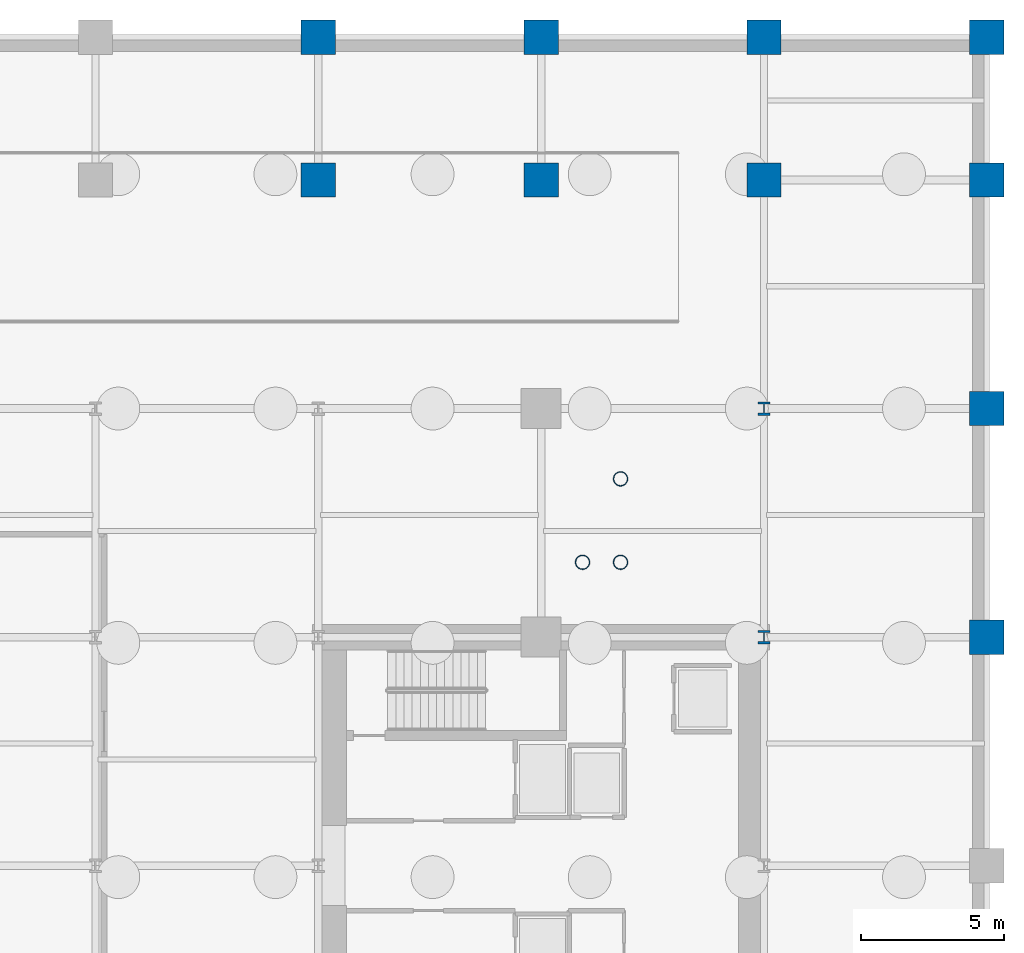
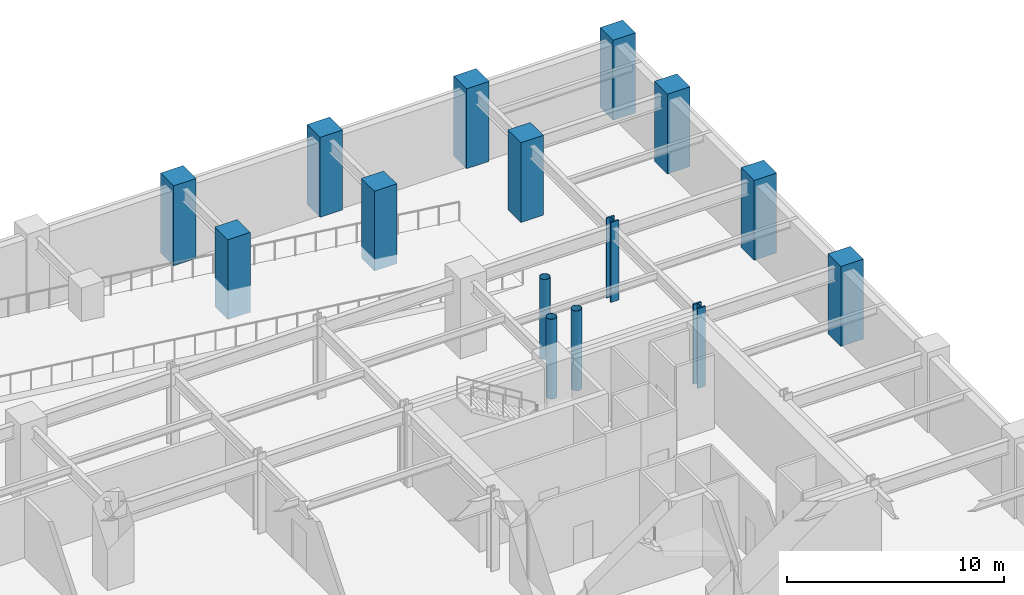
# One storey, part 2 of 10: 15 columns.
"""IFC4 building model written with IfcOpenShell, lengths in metres."""

from ifc_helpers import new_model, si_unit, direction, frame, origin, origin_2d, place, context, subcontext, project, spatial, rectangle, hollow_circle, i_section, extrude, material, material_profile, profile_set, type_object, element, save


model = new_model("IFC4")

# Units and contexts
model_context = context("Model", 3, precision=1e-05, world=origin(), true_north=direction((0.0, 1.0)))
body_context = subcontext(model_context, "Body", "Model", "MODEL_VIEW")
ifc_project = project(units=[si_unit("LENGTHUNIT", "METRE"), si_unit("AREAUNIT", "SQUARE_METRE"), si_unit("VOLUMEUNIT", "CUBIC_METRE"), si_unit("PLANEANGLEUNIT", "RADIAN"), si_unit("MASSUNIT", "GRAM", prefix="KILO")], contexts=[model_context])

# Site, building, storey
site_placement = place(None, origin())
site = spatial("IfcSite", under=ifc_project, at=site_placement, CompositionType="ELEMENT")
building_placement = place(site_placement, origin())
building = spatial("IfcBuilding", under=site, at=building_placement, Name="Veymaron Broadcast Tower", CompositionType="ELEMENT")
storey_placement = place(building_placement, frame((0.0, 0.0, -9.0)))
storey = spatial("IfcBuildingStorey", under=building, at=storey_placement, Name="B2", CompositionType="ELEMENT", Elevation=-9.0)

# Columns
ifc_material_1 = material(Name="Structural steel ASTM A913 Gr 65", Category="steel")
ifc_material_profile_1 = material_profile(ifc_material_1, i_section(OverallWidth=0.424072265625, OverallDepth=0.47412109375, WebThickness=0.047607421875, FlangeThickness=0.076904296875, at=origin_2d()), Name="W360X634")
ifc_profile_set_1 = profile_set([ifc_material_profile_1], Name="Structural steel ASTM A913 Gr 65")
column_type_1 = type_object("IfcColumnType", Name="COL-MC1", PredefinedType="COLUMN", material=ifc_profile_set_1)
for number, where, z_axis, x_axis, name in (
    (1, (54.60009765625, 32.0, 0.0), (0.0, 0.0, 1.0), (1.0, 0.0, 0.0), "B2 column (54.6, 32.0)"),
    (2, (54.60009765625, 40.0, 0.0), (0.0, 0.0, 1.0), (1.0, 0.0, 0.0), "B2 column (54.6, 40.0)"),
):
    element("IfcColumn", number, at=place(storey_placement, frame(where, z_axis=z_axis, x_axis=x_axis)), inside=storey, type_object=column_type_1, Name=name, PredefinedType="COLUMN", context=body_context, shape_type="SweptSolid", body=[
        extrude(i_section(OverallWidth=0.424072265625, OverallDepth=0.47412109375, WebThickness=0.047607421875, FlangeThickness=0.076904296875, at=origin_2d()), origin(), (0.0, 0.0, 1.0), 4.4951171875),
    ])
ifc_material_2 = material(Name="Structural steel ASTM A992 Gr 50", Category="steel")
ifc_material_profile_2 = material_profile(ifc_material_2, hollow_circle(Radius=0.25390625, WallThickness=0.02001953125, at=origin_2d()), Name="CHS508X20")
ifc_profile_set_2 = profile_set([ifc_material_profile_2], Name="Structural steel ASTM A992 Gr 50")
column_type_2 = type_object("IfcColumnType", Name="COL-PL2", PredefinedType="COLUMN", material=ifc_profile_set_2)
for number, where, z_axis, x_axis, name in (
    (3, (48.25, 34.6201171875, 0.0), (0.0, 0.0, 1.0), (1.0, 0.0, 0.0), "B2 feature stair support column"),
    (4, (49.580078125, 34.6201171875, 0.0), (0.0, 0.0, 1.0), (1.0, 0.0, 0.0), "B2 feature stair support column"),
    (5, (49.580078125, 37.5400390625, 0.0), (0.0, 0.0, 1.0), (1.0, 0.0, 0.0), "B2 feature stair support column"),
):
    element("IfcColumn", number, at=place(storey_placement, frame(where, z_axis=z_axis, x_axis=x_axis)), inside=storey, type_object=column_type_2, Name=name, PredefinedType="COLUMN", context=body_context, shape_type="SweptSolid", body=[
        extrude(hollow_circle(Radius=0.25390625, WallThickness=0.02001953125, at=origin_2d()), origin(), (0.0, 0.0, 1.0), 4.493896484375),
    ])
ifc_material_3 = material(Name="Concrete C60/75", Category="concrete")
ifc_material_profile_3 = material_profile(ifc_material_3, rectangle(XDim=1.199951171875, YDim=1.199951171875, at=origin_2d()), Name="RC1200X1200")
ifc_profile_set_3 = profile_set([ifc_material_profile_3], Name="Concrete C60/75")
column_type_3 = type_object("IfcColumnType", Name="COL-RC2", PredefinedType="COLUMN", material=ifc_profile_set_3)
for number, where, z_axis, x_axis, name in (
    (6, (39.0, 48.0, 0.0), (0.0, 0.0, 1.0), (1.0, 0.0, 0.0), "B2 column (39.0, 48.0)"),
    (7, (39.0, 53.0, 0.0), (0.0, 0.0, 1.0), (1.0, 0.0, 0.0), "B2 column (39.0, 53.0)"),
    (8, (46.800048828125, 48.0, 0.0), (0.0, 0.0, 1.0), (1.0, 0.0, 0.0), "B2 column (46.8, 48.0)"),
    (9, (46.800048828125, 53.0, 0.0), (0.0, 0.0, 1.0), (1.0, 0.0, 0.0), "B2 column (46.8, 53.0)"),
    (10, (54.60009765625, 48.0, 0.0), (0.0, 0.0, 1.0), (1.0, 0.0, 0.0), "B2 column (54.6, 48.0)"),
    (11, (54.60009765625, 53.0, 0.0), (0.0, 0.0, 1.0), (1.0, 0.0, 0.0), "B2 column (54.6, 53.0)"),
    (12, (62.39990234375, 32.0, 0.0), (0.0, 0.0, 1.0), (1.0, 0.0, 0.0), "B2 column (62.4, 32.0)"),
    (13, (62.39990234375, 40.0, 0.0), (0.0, 0.0, 1.0), (1.0, 0.0, 0.0), "B2 column (62.4, 40.0)"),
    (14, (62.39990234375, 48.0, 0.0), (0.0, 0.0, 1.0), (1.0, 0.0, 0.0), "B2 column (62.4, 48.0)"),
    (15, (62.39990234375, 53.0, 0.0), (0.0, 0.0, 1.0), (1.0, 0.0, 0.0), "B2 column (62.4, 53.0)"),
):
    element("IfcColumn", number, at=place(storey_placement, frame(where, z_axis=z_axis, x_axis=x_axis)), inside=storey, type_object=column_type_3, Name=name, PredefinedType="COLUMN", context=body_context, shape_type="SweptSolid", body=[
        extrude(rectangle(XDim=1.199951171875, YDim=1.199951171875, at=origin_2d()), origin(), (0.0, 0.0, 1.0), 4.4951171875),
    ])

save(model, "model.ifc")
